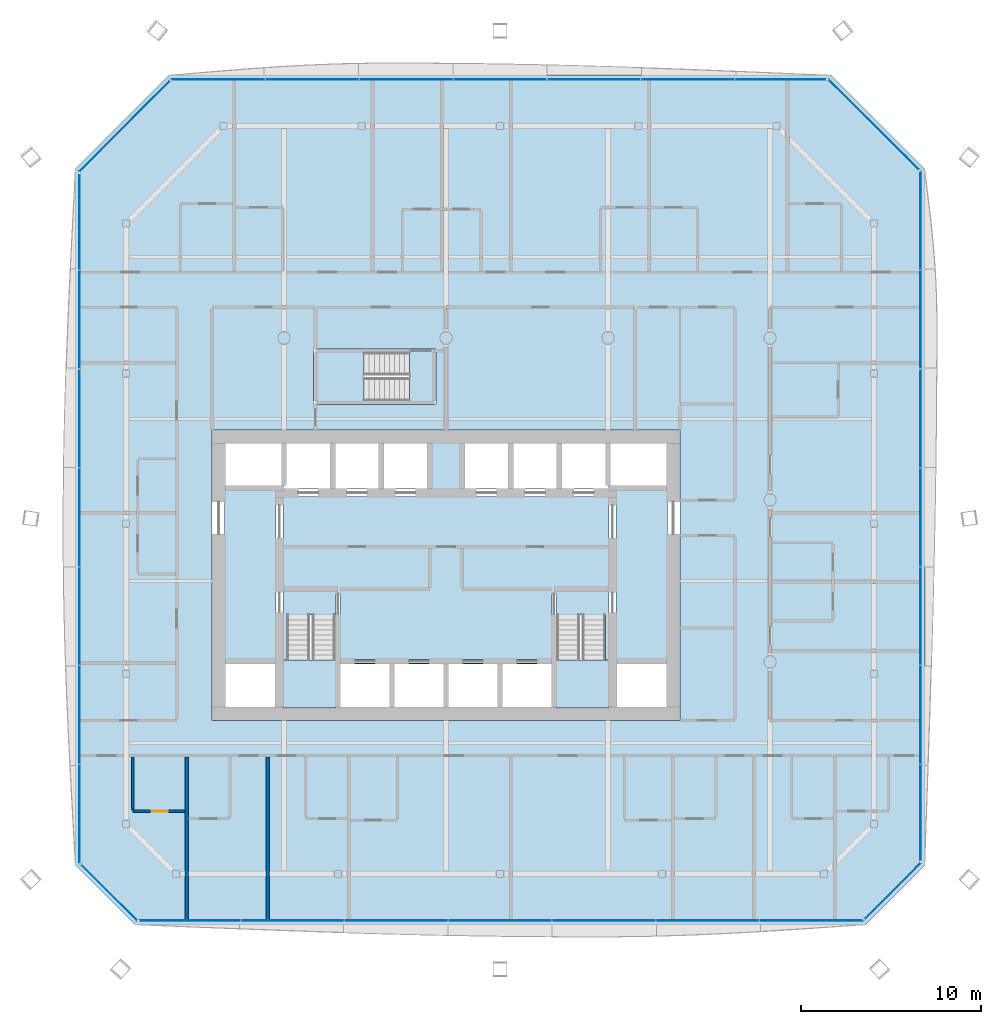
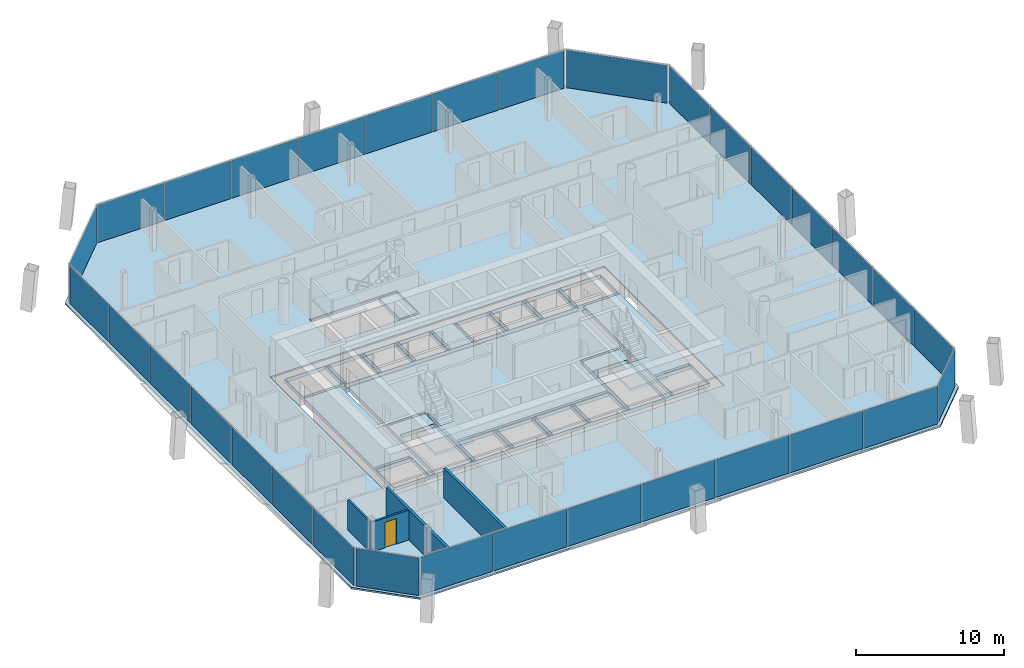
# One storey, part 11 of 21: 32 plates, 6 slabs, 4 walls, 1 door, 1 opening, 11 elements without a shape of their own.
"""IFC4 building model written with IfcOpenShell, lengths in metres."""

import ifcopenshell
import ifcopenshell.guid

model = None  # the IFC model being written
_history = None  # IfcOwnerHistory: only IFC2X3 demands one
_inside = {}  # id of a spatial element -> (the spatial element, [elements in it])
_under = {}  # id of a project, library or spatial element -> (it, [spatial elements below it])
_declared = {}  # id of a project -> (the project, [libraries it declares])
_typed = {}  # id of a type object -> (the type object, [elements of that type])
_made_of = {}  # id of a material, layer set ... -> (it, [elements and type objects made of it])


def new_model(schema):
    """Start an empty IFC model of exactly this schema.

    Asked for "IFC4X3", IfcOpenShell would pick the latest addendum, in which some entities
    have other attributes; the version numbers below select the first issue.
    IFC2X3 requires an IfcOwnerHistory on every rooted entity: one is made here for all.
    """
    global model, _history
    if schema == "IFC4X3":
        model = ifcopenshell.file(schema_version=(4, 3, 0, 0))
    else:
        model = ifcopenshell.file(schema=schema)
    _inside.clear()
    _under.clear()
    _declared.clear()
    _typed.clear()
    _made_of.clear()
    _history = None
    if model.schema == "IFC2X3":
        org = make("IfcOrganization", Name="unknown")
        user = make(
            "IfcPersonAndOrganization",
            ThePerson=make("IfcPerson", FamilyName="unknown"),
            TheOrganization=org,
        )
        app = make(
            "IfcApplication",
            ApplicationDeveloper=org,
            Version="unknown",
            ApplicationFullName="unknown",
            ApplicationIdentifier="unknown",
        )
        _history = make(
            "IfcOwnerHistory",
            OwningUser=user,
            OwningApplication=app,
            ChangeAction="ADDED",
            CreationDate=0,
        )
    return model


def make(cls, **values):
    """One entity of the class cls with the attributes given. An attribute that is None is left unset."""
    return model.create_entity(
        cls, **{name: value for name, value in values.items() if value is not None}
    )


def rooted(cls, **values):
    """An entity with a GlobalId (a new one), such as an element, a storey or a relation."""
    return make(cls, GlobalId=ifcopenshell.guid.new(), OwnerHistory=_history, **values)


def si_unit(unit_type, name, prefix=None):
    """IfcSIUnit, for example si_unit("LENGTHUNIT", "METRE", prefix="MILLI")."""
    return make("IfcSIUnit", UnitType=unit_type, Prefix=prefix, Name=name)


def assignment(units):
    """IfcUnitAssignment: the units of a project."""
    return None if units is None else make("IfcUnitAssignment", Units=units)


def point(xyz):
    """IfcCartesianPoint."""
    return None if xyz is None else make("IfcCartesianPoint", Coordinates=xyz)


def direction(xyz):
    """IfcDirection."""
    return None if xyz is None else make("IfcDirection", DirectionRatios=xyz)


def frame(location, z_axis=None, x_axis=None):
    """IfcAxis2Placement3D, a coordinate frame: its origin and axes. An axis left out is left unset."""
    return make(
        "IfcAxis2Placement3D",
        Location=point(location),
        Axis=direction(z_axis),
        RefDirection=direction(x_axis),
    )


def frame_2d(location, x_axis=None):
    """IfcAxis2Placement2D, a coordinate frame in the plane: its origin and x axis."""
    return make(
        "IfcAxis2Placement2D", Location=point(location), RefDirection=direction(x_axis)
    )


def origin():
    """The frame at (0, 0, 0) with its axes left unset."""
    return frame((0.0, 0.0, 0.0))


def origin_2d():
    """The frame at (0, 0) in the plane with its x axis left unset."""
    return frame_2d((0.0, 0.0))


def place(relative_to, where):
    """IfcLocalPlacement: puts the frame where relative to a parent placement (None: the world)."""
    return make(
        "IfcLocalPlacement", PlacementRelTo=relative_to, RelativePlacement=where
    )


def context(
    kind, dimensions, precision=None, world=None, true_north=None, identifier=None
):
    """IfcGeometricRepresentationContext, for example the 3D "Model" context."""
    return make(
        "IfcGeometricRepresentationContext",
        ContextIdentifier=identifier,
        ContextType=kind,
        CoordinateSpaceDimension=dimensions,
        Precision=precision,
        WorldCoordinateSystem=world,
        TrueNorth=true_north,
    )


def subcontext(parent, identifier, kind, view, scale=None):
    """IfcGeometricRepresentationSubContext, for example "Body" below "Model"."""
    return make(
        "IfcGeometricRepresentationSubContext",
        ContextIdentifier=identifier,
        ContextType=kind,
        ParentContext=parent,
        TargetScale=scale,
        TargetView=view,
    )


def project(units=None, contexts=None):
    """IfcProject with its units and contexts."""
    return rooted(
        "IfcProject",
        Name="project",
        RepresentationContexts=contexts,
        UnitsInContext=assignment(units),
    )


def spatial(cls, under=None, at=None, **own):
    """A site, building, storey or space (cls), placed at a placement, below another one or the project."""
    s = rooted(cls, ObjectPlacement=at, **own)
    if under is not None:
        _under.setdefault(under.id(), (under, []))[1].append(s)
    return s


def polyline(points):
    """IfcPolyline through the points."""
    return make("IfcPolyline", Points=[point(p) for p in points])


def profile(cls, at=None, kind="AREA", **sizes):
    """A parametric profile (cls). Its sizes go by their IFC names, for example OverallWidth=200.0."""
    return make(cls, ProfileType=kind, Position=at, **sizes)


def rectangle(**sizes):
    """IfcRectangleProfileDef."""
    return profile("IfcRectangleProfileDef", **sizes)


def outline(outer, holes=None, kind="AREA"):
    """IfcArbitraryClosedProfileDef: a profile drawn as a closed curve; with holes, ...WithVoids."""
    if holes is None:
        return make("IfcArbitraryClosedProfileDef", ProfileType=kind, OuterCurve=outer)
    return make(
        "IfcArbitraryProfileDefWithVoids",
        ProfileType=kind,
        OuterCurve=outer,
        InnerCurves=holes,
    )


def extrude(swept, where, along, depth):
    """IfcExtrudedAreaSolid: the profile swept, set in the frame where, extruded along a direction by depth."""
    return make(
        "IfcExtrudedAreaSolid",
        SweptArea=swept,
        Position=where,
        ExtrudedDirection=direction(along),
        Depth=depth,
    )


def shape(context_of_items, identifier, shape_type, items):
    """IfcShapeRepresentation: the items that make up one representation, for example the "Body"."""
    return make(
        "IfcShapeRepresentation",
        ContextOfItems=context_of_items,
        RepresentationIdentifier=identifier,
        RepresentationType=shape_type,
        Items=items,
    )


def material(Name=None, Category=None):
    """IfcMaterial."""
    return make("IfcMaterial", Name=Name, Category=Category)


def layer(
    of_material, thickness, ventilated=None, Name=None, Category=None, Priority=None
):
    """IfcMaterialLayer: one layer of a wall or slab, of a material (None: an air gap)."""
    return make(
        "IfcMaterialLayer",
        Material=of_material,
        LayerThickness=thickness,
        IsVentilated=ventilated,
        Name=Name,
        Category=Category,
        Priority=Priority,
    )


def layer_set(layers, Name=None):
    """IfcMaterialLayerSet."""
    return make("IfcMaterialLayerSet", MaterialLayers=layers, LayerSetName=Name)


def made_of(thing, what):
    """Note that an element or type object is made of a material, layer set ...; save() writes the relation."""
    if what is not None:
        _made_of.setdefault(what.id(), (what, []))[1].append(thing)
    return thing


def type_object(cls, material=None, **own):
    """A type object (cls), such as IfcWallType, which elements share."""
    return made_of(rooted(cls, **own), material)


def element(
    cls,
    number,
    at=None,
    inside=None,
    cuts=None,
    type_object=None,
    material=None,
    context=None,
    identifier="Body",
    shape_type=None,
    held_by="IfcProductDefinitionShape",
    body=None,
    shapes=None,
    **own,
):
    """One element of the class cls, such as IfcWall. Its Tag is "e" and its number.

    at: its placement. inside: the storey or other place that contains it. cuts: it is an
    opening in that element (IfcRelVoidsElement). A single representation is given by context,
    identifier, shape_type and body (its items); several are given by shapes. held_by: the class
    of the entity that holds the representations. save() writes the other relations.
    """
    e = rooted(cls, Tag="e%d" % number, ObjectPlacement=at, **own)
    if body is not None:
        shapes = [shape(context, identifier, shape_type, body)]
    if shapes is not None:
        e.Representation = make(held_by, Representations=shapes)
    if inside is not None:
        _inside.setdefault(inside.id(), (inside, []))[1].append(e)
    if cuts is not None:
        rooted(
            "IfcRelVoidsElement", RelatingBuildingElement=cuts, RelatedOpeningElement=e
        )
    if type_object is not None:
        _typed.setdefault(type_object.id(), (type_object, []))[1].append(e)
    return made_of(e, material)


def fill(opening, filler):
    """IfcRelFillsElement: the door or window that sits in an opening."""
    return rooted(
        "IfcRelFillsElement",
        RelatingOpeningElement=opening,
        RelatedBuildingElement=filler,
    )


def aggregate(whole, parts):
    """IfcRelAggregates: a whole, such as a stair, and the parts it consists of."""
    return rooted("IfcRelAggregates", RelatingObject=whole, RelatedObjects=parts)


def save(model, path):
    """Write the relations noted so far, then the file.

    IfcRelAggregates (storeys below a building ...), IfcRelContainedInSpatialStructure (elements
    in a storey), IfcRelDefinesByType, IfcRelAssociatesMaterial and IfcRelDeclares: one each for
    every whole, place, type object, material and project.
    """
    for whole, parts in _under.values():
        aggregate(whole, parts)
    for where, things in _inside.values():
        rooted(
            "IfcRelContainedInSpatialStructure",
            RelatedElements=things,
            RelatingStructure=where,
        )
    for kind, things in _typed.values():
        rooted("IfcRelDefinesByType", RelatedObjects=things, RelatingType=kind)
    for what, things in _made_of.values():
        rooted("IfcRelAssociatesMaterial", RelatedObjects=things, RelatingMaterial=what)
    for by, libraries in _declared.values():
        rooted("IfcRelDeclares", RelatingContext=by, RelatedDefinitions=libraries)
    model.write(path)


model = new_model("IFC4")

# Units and contexts
model_context = context("Model", 3, precision=1e-05, world=origin(), true_north=direction((0.0, 1.0)))
body_context = subcontext(model_context, "Body", "Model", "MODEL_VIEW")
ifc_project = project(units=[si_unit("LENGTHUNIT", "METRE"), si_unit("AREAUNIT", "SQUARE_METRE"), si_unit("VOLUMEUNIT", "CUBIC_METRE"), si_unit("PLANEANGLEUNIT", "RADIAN"), si_unit("MASSUNIT", "GRAM", prefix="KILO")], contexts=[model_context])

# Site, building, storey
site_placement = place(None, origin())
site = spatial("IfcSite", under=ifc_project, at=site_placement, CompositionType="ELEMENT")
building_placement = place(site_placement, origin())
building = spatial("IfcBuilding", under=site, at=building_placement, Name="Tskaro Facet Tower", CompositionType="ELEMENT")
storey_placement = place(building_placement, frame((0.0, 0.0, 128.300048828125)))
storey = spatial("IfcBuildingStorey", under=building, at=storey_placement, Name="L30", CompositionType="ELEMENT", Elevation=128.300048828125)

# Slab
ifc_material_1 = material(Name="Concrete C30/37", Category="concrete")
ifc_layer_1 = layer(ifc_material_1, 0.139892578125, Name="Concrete C30/37")
ifc_layer_set_1 = layer_set([ifc_layer_1], Name="Concrete C30/37")
slab_type_1 = type_object("IfcSlabType", Name="Composite deck floor slab", PredefinedType="FLOOR", material=ifc_layer_set_1)
slab_1_placement = place(storey_placement, frame((0.0, 0.0, -0.14013671875)))
element("IfcSlab", 1, at=slab_1_placement, inside=storey, type_object=slab_type_1, Name="Floor slab FS3 L30", PredefinedType="FLOOR", context=body_context, shape_type="SweptSolid", body=[
    extrude(outline(polyline([(-17.27001953125, -23.616943359375), (23.27001953125, -23.616943359375), (26.616943359375, -20.27001953125), (26.616943359375, 18.35693359375), (21.35693359375, 23.616943359375), (-15.35693359375, 23.616943359375), (-20.616943359375, 18.35693359375), (-20.616943359375, -20.27001953125), (-17.27001953125, -23.616943359375)]), holes=[polyline([(-13.0, -12.25), (13.0, -12.25), (13.0, 3.89990234375), (-13.0, 3.89990234375), (-13.0, -12.25)]), polyline([(-7.35009765625, 5.300048828125), (-0.550048828125, 5.300048828125), (-0.550048828125, 8.39990234375), (-7.35009765625, 8.39990234375), (-7.35009765625, 5.300048828125)])]), origin(), (0.0, 0.0, 1.0), 0.14013671875),
])

# Curtain wall, plates
ifc_material_2 = material(Name="Bronze anodised aluminium 6063-T6", Category="aluminium")
curtain_wall_type = type_object("IfcCurtainWallType", Name="Bronze hotel curtain wall (FW2)", PredefinedType="NOTDEFINED", material=ifc_material_2)
curtain_wall_1_placement = place(storey_placement, origin())
curtain_wall_1 = element("IfcCurtainWall", 2, at=curtain_wall_1_placement, inside=storey, type_object=curtain_wall_type, Name="FW2 south facet L30", PredefinedType="NOTDEFINED")
ifc_material_3 = material(Name="Bronze solar control glass", Category="glass")
ifc_layer_2 = layer(ifc_material_3, 0.030029296875, Name="Bronze solar control glass")
ifc_layer_set_2 = layer_set([ifc_layer_2], Name="Bronze solar control glass")
plate_type = type_object("IfcPlateType", Name="FW2 bronze-tinted unit glazing 30", PredefinedType="CURTAIN_PANEL", material=ifc_layer_set_2)
plate_1_placement = place(storey_placement, frame((-14.22509765625, -23.366943359375, 0.0), z_axis=(0.0, 0.0, 1.0), x_axis=(1.0, 0.0, 0.0)))
plate_1 = element("IfcPlate", 3, at=plate_1_placement, type_object=plate_type, Name="FW2 south glazing 1.1", PredefinedType="CURTAIN_PANEL", context=body_context, shape_type="SweptSolid", body=[
    extrude(rectangle(XDim=5.581787109375, YDim=0.030029296875, at=origin_2d()), origin(), (0.0, 0.0, 1.0), 3.10009765625),
])
plate_2_placement = place(storey_placement, frame((-8.5234375, -23.366943359375, 0.0), z_axis=(0.0, 0.0, 1.0), x_axis=(1.0, 0.0, 0.0)))
plate_2 = element("IfcPlate", 4, at=plate_2_placement, type_object=plate_type, Name="FW2 south glazing 2.1", PredefinedType="CURTAIN_PANEL", context=body_context, shape_type="SweptSolid", body=[
    extrude(rectangle(XDim=5.70166015625, YDim=0.030029296875, at=origin_2d()), origin(), (0.0, 0.0, 1.0), 3.10009765625),
])
plate_3_placement = place(storey_placement, frame((-2.76171875, -23.366943359375, 0.0), z_axis=(0.0, 0.0, 1.0), x_axis=(1.0, 0.0, 0.0)))
plate_3 = element("IfcPlate", 5, at=plate_3_placement, type_object=plate_type, Name="FW2 south glazing 3.1", PredefinedType="CURTAIN_PANEL", context=body_context, shape_type="SweptSolid", body=[
    extrude(rectangle(XDim=5.70166015625, YDim=0.030029296875, at=origin_2d()), origin(), (0.0, 0.0, 1.0), 3.10009765625),
])
plate_4_placement = place(storey_placement, frame((3.0, -23.366943359375, 0.0), z_axis=(0.0, 0.0, 1.0), x_axis=(1.0, 0.0, 0.0)))
plate_4 = element("IfcPlate", 6, at=plate_4_placement, type_object=plate_type, Name="FW2 south glazing 4.1", PredefinedType="CURTAIN_PANEL", context=body_context, shape_type="SweptSolid", body=[
    extrude(rectangle(XDim=5.70166015625, YDim=0.030029296875, at=origin_2d()), origin(), (0.0, 0.0, 1.0), 3.10009765625),
])
plate_5_placement = place(storey_placement, frame((8.76171875, -23.366943359375, 0.0), z_axis=(0.0, 0.0, 1.0), x_axis=(1.0, 0.0, 0.0)))
plate_5 = element("IfcPlate", 7, at=plate_5_placement, type_object=plate_type, Name="FW2 south glazing 5.1", PredefinedType="CURTAIN_PANEL", context=body_context, shape_type="SweptSolid", body=[
    extrude(rectangle(XDim=5.70166015625, YDim=0.030029296875, at=origin_2d()), origin(), (0.0, 0.0, 1.0), 3.10009765625),
])
plate_6_placement = place(storey_placement, frame((14.5234375, -23.366943359375, 0.0), z_axis=(0.0, 0.0, 1.0), x_axis=(1.0, 0.0, 0.0)))
plate_6 = element("IfcPlate", 8, at=plate_6_placement, type_object=plate_type, Name="FW2 south glazing 6.1", PredefinedType="CURTAIN_PANEL", context=body_context, shape_type="SweptSolid", body=[
    extrude(rectangle(XDim=5.70166015625, YDim=0.030029296875, at=origin_2d()), origin(), (0.0, 0.0, 1.0), 3.10009765625),
])
plate_7_placement = place(storey_placement, frame((20.300048828125, -23.366943359375, 0.0), z_axis=(0.0, 0.0, 1.0), x_axis=(1.0, 0.0, 0.0)))
plate_7 = element("IfcPlate", 9, at=plate_7_placement, type_object=plate_type, Name="FW2 south glazing 7.1", PredefinedType="CURTAIN_PANEL", context=body_context, shape_type="SweptSolid", body=[
    extrude(rectangle(XDim=5.731689453125, YDim=0.030029296875, at=origin_2d()), origin(), (0.0, 0.0, 1.0), 3.10009765625),
])
aggregate(curtain_wall_1, [plate_1, plate_2, plate_3, plate_4, plate_5, plate_6, plate_7])

# Curtain wall, plate
curtain_wall_2_placement = place(storey_placement, origin())
curtain_wall_2 = element("IfcCurtainWall", 10, at=curtain_wall_2_placement, inside=storey, type_object=curtain_wall_type, Name="FW2 south-east facet L30", PredefinedType="NOTDEFINED")
plate_8_placement = place(storey_placement, frame((24.819580078125, -21.71337890625, 0.0), z_axis=(0.0, 0.0, 1.0), x_axis=(0.707106781187, 0.707106781187, 0.0)))
plate_8 = element("IfcPlate", 11, at=plate_8_placement, type_object=plate_type, Name="FW2 south-east glazing 1.1", PredefinedType="CURTAIN_PANEL", context=body_context, shape_type="SweptSolid", body=[
    extrude(rectangle(XDim=4.376953125, YDim=0.030029296875, at=origin_2d()), origin(), (0.0, 0.0, 1.0), 3.10009765625),
])
aggregate(curtain_wall_2, [plate_8])

# Curtain wall, plates
curtain_wall_3_placement = place(storey_placement, origin())
curtain_wall_3 = element("IfcCurtainWall", 12, at=curtain_wall_3_placement, inside=storey, type_object=curtain_wall_type, Name="FW2 east facet L30", PredefinedType="NOTDEFINED")
plate_9_placement = place(storey_placement, frame((26.366943359375, -17.36181640625, 0.0), z_axis=(0.0, 0.0, 1.0), x_axis=(0.0, 1.0, 0.0)))
plate_9 = element("IfcPlate", 13, at=plate_9_placement, type_object=plate_type, Name="FW2 east glazing 1.1", PredefinedType="CURTAIN_PANEL", context=body_context, shape_type="SweptSolid", body=[
    extrude(rectangle(XDim=5.308349609375, YDim=0.030029296875, at=origin_2d()), origin(), (0.0, 0.0, 1.0), 3.10009765625),
])
plate_10_placement = place(storey_placement, frame((26.366943359375, -11.933349609375, 0.0), z_axis=(0.0, 0.0, 1.0), x_axis=(0.0, 1.0, 0.0)))
plate_10 = element("IfcPlate", 14, at=plate_10_placement, type_object=plate_type, Name="FW2 east glazing 2.1", PredefinedType="CURTAIN_PANEL", context=body_context, shape_type="SweptSolid", body=[
    extrude(rectangle(XDim=5.428466796875, YDim=0.030029296875, at=origin_2d()), origin(), (0.0, 0.0, 1.0), 3.10009765625),
])
plate_11_placement = place(storey_placement, frame((26.366943359375, -6.44482421875, 0.0), z_axis=(0.0, 0.0, 1.0), x_axis=(0.0, 1.0, 0.0)))
plate_11 = element("IfcPlate", 15, at=plate_11_placement, type_object=plate_type, Name="FW2 east glazing 3.1", PredefinedType="CURTAIN_PANEL", context=body_context, shape_type="SweptSolid", body=[
    extrude(rectangle(XDim=5.428466796875, YDim=0.030029296875, at=origin_2d()), origin(), (0.0, 0.0, 1.0), 3.10009765625),
])
plate_12_placement = place(storey_placement, frame((26.366943359375, -0.95654296875, 0.0), z_axis=(0.0, 0.0, 1.0), x_axis=(0.0, 1.0, 0.0)))
plate_12 = element("IfcPlate", 16, at=plate_12_placement, type_object=plate_type, Name="FW2 east glazing 4.1", PredefinedType="CURTAIN_PANEL", context=body_context, shape_type="SweptSolid", body=[
    extrude(rectangle(XDim=5.428466796875, YDim=0.030029296875, at=origin_2d()), origin(), (0.0, 0.0, 1.0), 3.10009765625),
])
plate_13_placement = place(storey_placement, frame((26.366943359375, 4.531982421875, 0.0), z_axis=(0.0, 0.0, 1.0), x_axis=(0.0, 1.0, 0.0)))
plate_13 = element("IfcPlate", 17, at=plate_13_placement, type_object=plate_type, Name="FW2 east glazing 5.1", PredefinedType="CURTAIN_PANEL", context=body_context, shape_type="SweptSolid", body=[
    extrude(rectangle(XDim=5.428466796875, YDim=0.030029296875, at=origin_2d()), origin(), (0.0, 0.0, 1.0), 3.10009765625),
])
plate_14_placement = place(storey_placement, frame((26.366943359375, 10.020263671875, 0.0), z_axis=(0.0, 0.0, 1.0), x_axis=(0.0, 1.0, 0.0)))
plate_14 = element("IfcPlate", 18, at=plate_14_placement, type_object=plate_type, Name="FW2 east glazing 6.1", PredefinedType="CURTAIN_PANEL", context=body_context, shape_type="SweptSolid", body=[
    extrude(rectangle(XDim=5.428466796875, YDim=0.030029296875, at=origin_2d()), origin(), (0.0, 0.0, 1.0), 3.10009765625),
])
plate_15_placement = place(storey_placement, frame((26.366943359375, 15.523681640625, 0.0), z_axis=(0.0, 0.0, 1.0), x_axis=(0.0, 1.0, 0.0)))
plate_15 = element("IfcPlate", 19, at=plate_15_placement, type_object=plate_type, Name="FW2 east glazing 7.1", PredefinedType="CURTAIN_PANEL", context=body_context, shape_type="SweptSolid", body=[
    extrude(rectangle(XDim=5.45849609375, YDim=0.030029296875, at=origin_2d()), origin(), (0.0, 0.0, 1.0), 3.10009765625),
])
aggregate(curtain_wall_3, [plate_9, plate_10, plate_11, plate_12, plate_13, plate_14, plate_15])

# Curtain wall, plate
curtain_wall_4_placement = place(storey_placement, origin())
curtain_wall_4 = element("IfcCurtainWall", 20, at=curtain_wall_4_placement, inside=storey, type_object=curtain_wall_type, Name="FW2 north-east facet L30", PredefinedType="NOTDEFINED")
plate_16_placement = place(storey_placement, frame((23.757080078125, 20.863037109375, 0.0), z_axis=(0.0, 0.0, 1.0), x_axis=(-0.707106781187, 0.707106781187, 0.0)))
plate_16 = element("IfcPlate", 21, at=plate_16_placement, type_object=plate_type, Name="FW2 north-east glazing 1.1", PredefinedType="CURTAIN_PANEL", context=body_context, shape_type="SweptSolid", body=[
    extrude(rectangle(XDim=7.082275390625, YDim=0.030029296875, at=origin_2d()), origin(), (0.0, 0.0, 1.0), 3.10009765625),
])
aggregate(curtain_wall_4, [plate_16])

# Curtain wall, plates
curtain_wall_5_placement = place(storey_placement, origin())
curtain_wall_5 = element("IfcCurtainWall", 22, at=curtain_wall_5_placement, inside=storey, type_object=curtain_wall_type, Name="FW2 north facet L30", PredefinedType="NOTDEFINED")
plate_17_placement = place(storey_placement, frame((18.58544921875, 23.366943359375, 0.0), z_axis=(0.0, 0.0, 1.0), x_axis=(-1.0, 0.0, 0.0)))
plate_17 = element("IfcPlate", 23, at=plate_17_placement, type_object=plate_type, Name="FW2 north glazing 1.1", PredefinedType="CURTAIN_PANEL", context=body_context, shape_type="SweptSolid", body=[
    extrude(rectangle(XDim=5.03515625, YDim=0.030029296875, at=origin_2d()), origin(), (0.0, 0.0, 1.0), 3.10009765625),
])
plate_18_placement = place(storey_placement, frame((13.43017578125, 23.366943359375, 0.0), z_axis=(0.0, 0.0, 1.0), x_axis=(-1.0, 0.0, 0.0)))
plate_18 = element("IfcPlate", 24, at=plate_18_placement, type_object=plate_type, Name="FW2 north glazing 2.1", PredefinedType="CURTAIN_PANEL", context=body_context, shape_type="SweptSolid", body=[
    extrude(rectangle(XDim=5.155029296875, YDim=0.030029296875, at=origin_2d()), origin(), (0.0, 0.0, 1.0), 3.10009765625),
])
plate_19_placement = place(storey_placement, frame((8.215087890625, 23.366943359375, 0.0), z_axis=(0.0, 0.0, 1.0), x_axis=(-1.0, 0.0, 0.0)))
plate_19 = element("IfcPlate", 25, at=plate_19_placement, type_object=plate_type, Name="FW2 north glazing 3.1", PredefinedType="CURTAIN_PANEL", context=body_context, shape_type="SweptSolid", body=[
    extrude(rectangle(XDim=5.155029296875, YDim=0.030029296875, at=origin_2d()), origin(), (0.0, 0.0, 1.0), 3.10009765625),
])
plate_20_placement = place(storey_placement, frame((3.0, 23.366943359375, 0.0), z_axis=(0.0, 0.0, 1.0), x_axis=(-1.0, 0.0, 0.0)))
plate_20 = element("IfcPlate", 26, at=plate_20_placement, type_object=plate_type, Name="FW2 north glazing 4.1", PredefinedType="CURTAIN_PANEL", context=body_context, shape_type="SweptSolid", body=[
    extrude(rectangle(XDim=5.155029296875, YDim=0.030029296875, at=origin_2d()), origin(), (0.0, 0.0, 1.0), 3.10009765625),
])
plate_21_placement = place(storey_placement, frame((-2.215087890625, 23.366943359375, 0.0), z_axis=(0.0, 0.0, 1.0), x_axis=(-1.0, 0.0, 0.0)))
plate_21 = element("IfcPlate", 27, at=plate_21_placement, type_object=plate_type, Name="FW2 north glazing 5.1", PredefinedType="CURTAIN_PANEL", context=body_context, shape_type="SweptSolid", body=[
    extrude(rectangle(XDim=5.155029296875, YDim=0.030029296875, at=origin_2d()), origin(), (0.0, 0.0, 1.0), 3.10009765625),
])
plate_22_placement = place(storey_placement, frame((-7.43017578125, 23.366943359375, 0.0), z_axis=(0.0, 0.0, 1.0), x_axis=(-1.0, 0.0, 0.0)))
plate_22 = element("IfcPlate", 28, at=plate_22_placement, type_object=plate_type, Name="FW2 north glazing 6.1", PredefinedType="CURTAIN_PANEL", context=body_context, shape_type="SweptSolid", body=[
    extrude(rectangle(XDim=5.155029296875, YDim=0.030029296875, at=origin_2d()), origin(), (0.0, 0.0, 1.0), 3.10009765625),
])
plate_23_placement = place(storey_placement, frame((-12.660400390625, 23.366943359375, 0.0), z_axis=(0.0, 0.0, 1.0), x_axis=(-1.0, 0.0, 0.0)))
plate_23 = element("IfcPlate", 29, at=plate_23_placement, type_object=plate_type, Name="FW2 north glazing 7.1", PredefinedType="CURTAIN_PANEL", context=body_context, shape_type="SweptSolid", body=[
    extrude(rectangle(XDim=5.18505859375, YDim=0.030029296875, at=origin_2d()), origin(), (0.0, 0.0, 1.0), 3.10009765625),
])
aggregate(curtain_wall_5, [plate_17, plate_18, plate_19, plate_20, plate_21, plate_22, plate_23])

# Curtain wall, plate
curtain_wall_6_placement = place(storey_placement, origin())
curtain_wall_6 = element("IfcCurtainWall", 30, at=curtain_wall_6_placement, inside=storey, type_object=curtain_wall_type, Name="FW2 north-west facet L30", PredefinedType="NOTDEFINED")
plate_24_placement = place(storey_placement, frame((-17.863037109375, 20.757080078125, 0.0), z_axis=(0.0, 0.0, 1.0), x_axis=(-0.707106781187, -0.707106781187, 0.0)))
plate_24 = element("IfcPlate", 31, at=plate_24_placement, type_object=plate_type, Name="FW2 north-west glazing 1.1", PredefinedType="CURTAIN_PANEL", context=body_context, shape_type="SweptSolid", body=[
    extrude(rectangle(XDim=7.082275390625, YDim=0.030029296875, at=origin_2d()), origin(), (0.0, 0.0, 1.0), 3.10009765625),
])
aggregate(curtain_wall_6, [plate_24])

# Curtain wall, plates
curtain_wall_7_placement = place(storey_placement, origin())
curtain_wall_7 = element("IfcCurtainWall", 32, at=curtain_wall_7_placement, inside=storey, type_object=curtain_wall_type, Name="FW2 west facet L30", PredefinedType="NOTDEFINED")
plate_25_placement = place(storey_placement, frame((-20.366943359375, 15.44873046875, 0.0), z_axis=(0.0, 0.0, 1.0), x_axis=(0.0, -1.0, 0.0)))
plate_25 = element("IfcPlate", 33, at=plate_25_placement, type_object=plate_type, Name="FW2 west glazing 1.1", PredefinedType="CURTAIN_PANEL", context=body_context, shape_type="SweptSolid", body=[
    extrude(rectangle(XDim=5.308349609375, YDim=0.030029296875, at=origin_2d()), origin(), (0.0, 0.0, 1.0), 3.10009765625),
])
plate_26_placement = place(storey_placement, frame((-20.366943359375, 10.020263671875, 0.0), z_axis=(0.0, 0.0, 1.0), x_axis=(0.0, -1.0, 0.0)))
plate_26 = element("IfcPlate", 34, at=plate_26_placement, type_object=plate_type, Name="FW2 west glazing 2.1", PredefinedType="CURTAIN_PANEL", context=body_context, shape_type="SweptSolid", body=[
    extrude(rectangle(XDim=5.428466796875, YDim=0.030029296875, at=origin_2d()), origin(), (0.0, 0.0, 1.0), 3.10009765625),
])
plate_27_placement = place(storey_placement, frame((-20.366943359375, 4.531982421875, 0.0), z_axis=(0.0, 0.0, 1.0), x_axis=(0.0, -1.0, 0.0)))
plate_27 = element("IfcPlate", 35, at=plate_27_placement, type_object=plate_type, Name="FW2 west glazing 3.1", PredefinedType="CURTAIN_PANEL", context=body_context, shape_type="SweptSolid", body=[
    extrude(rectangle(XDim=5.428466796875, YDim=0.030029296875, at=origin_2d()), origin(), (0.0, 0.0, 1.0), 3.10009765625),
])
plate_28_placement = place(storey_placement, frame((-20.366943359375, -0.95654296875, 0.0), z_axis=(0.0, 0.0, 1.0), x_axis=(0.0, -1.0, 0.0)))
plate_28 = element("IfcPlate", 36, at=plate_28_placement, type_object=plate_type, Name="FW2 west glazing 4.1", PredefinedType="CURTAIN_PANEL", context=body_context, shape_type="SweptSolid", body=[
    extrude(rectangle(XDim=5.428466796875, YDim=0.030029296875, at=origin_2d()), origin(), (0.0, 0.0, 1.0), 3.10009765625),
])
plate_29_placement = place(storey_placement, frame((-20.366943359375, -6.44482421875, 0.0), z_axis=(0.0, 0.0, 1.0), x_axis=(0.0, -1.0, 0.0)))
plate_29 = element("IfcPlate", 37, at=plate_29_placement, type_object=plate_type, Name="FW2 west glazing 5.1", PredefinedType="CURTAIN_PANEL", context=body_context, shape_type="SweptSolid", body=[
    extrude(rectangle(XDim=5.428466796875, YDim=0.030029296875, at=origin_2d()), origin(), (0.0, 0.0, 1.0), 3.10009765625),
])
plate_30_placement = place(storey_placement, frame((-20.366943359375, -11.933349609375, 0.0), z_axis=(0.0, 0.0, 1.0), x_axis=(0.0, -1.0, 0.0)))
plate_30 = element("IfcPlate", 38, at=plate_30_placement, type_object=plate_type, Name="FW2 west glazing 6.1", PredefinedType="CURTAIN_PANEL", context=body_context, shape_type="SweptSolid", body=[
    extrude(rectangle(XDim=5.428466796875, YDim=0.030029296875, at=origin_2d()), origin(), (0.0, 0.0, 1.0), 3.10009765625),
])
plate_31_placement = place(storey_placement, frame((-20.366943359375, -17.436767578125, 0.0), z_axis=(0.0, 0.0, 1.0), x_axis=(0.0, -1.0, 0.0)))
plate_31 = element("IfcPlate", 39, at=plate_31_placement, type_object=plate_type, Name="FW2 west glazing 7.1", PredefinedType="CURTAIN_PANEL", context=body_context, shape_type="SweptSolid", body=[
    extrude(rectangle(XDim=5.45849609375, YDim=0.030029296875, at=origin_2d()), origin(), (0.0, 0.0, 1.0), 3.10009765625),
])
aggregate(curtain_wall_7, [plate_25, plate_26, plate_27, plate_28, plate_29, plate_30, plate_31])

# Curtain wall, plate
curtain_wall_8_placement = place(storey_placement, origin())
curtain_wall_8 = element("IfcCurtainWall", 40, at=curtain_wall_8_placement, inside=storey, type_object=curtain_wall_type, Name="FW2 south-west facet L30", PredefinedType="NOTDEFINED")
plate_32_placement = place(storey_placement, frame((-18.71337890625, -21.819580078125, 0.0), z_axis=(0.0, 0.0, 1.0), x_axis=(0.707106781187, -0.707106781187, 0.0)))
plate_32 = element("IfcPlate", 41, at=plate_32_placement, type_object=plate_type, Name="FW2 south-west glazing 1.1", PredefinedType="CURTAIN_PANEL", context=body_context, shape_type="SweptSolid", body=[
    extrude(rectangle(XDim=4.376953125, YDim=0.030029296875, at=origin_2d()), origin(), (0.0, 0.0, 1.0), 3.10009765625),
])
aggregate(curtain_wall_8, [plate_32])

# Stair, slab
ifc_material_4 = material(Name="Concrete C40/50", Category="concrete")
stair_type = type_object("IfcStairType", Name="ST-TWR", PredefinedType="HALF_TURN_STAIR", material=ifc_material_4)
stair_1_placement = place(storey_placement, origin())
stair_1 = element("IfcStair", 42, at=stair_1_placement, inside=storey, type_object=stair_type, Name="L30 Exit stair 1", PredefinedType="HALF_TURN_STAIR")
ifc_layer_3 = layer(ifc_material_4, 0.199951171875, Name="Concrete C40/50")
ifc_layer_set_3 = layer_set([ifc_layer_3], Name="Concrete C40/50")
slab_type_2 = type_object("IfcSlabType", Name="SL-LANDING", PredefinedType="LANDING", material=ifc_layer_set_3)
slab_2_placement = place(storey_placement, frame((0.0, 0.0, 1.5)))
slab_2 = element("IfcSlab", 43, at=slab_2_placement, type_object=slab_type_2, Name="ST-1 landing 1", PredefinedType="LANDING", context=body_context, shape_type="SweptSolid", body=[
    extrude(outline(polyline([(-9.050048828125, -11.550048828125), (-6.10009765625, -11.550048828125), (-6.10009765625, -8.89501953125), (-9.050048828125, -8.89501953125), (-9.050048828125, -11.550048828125)])), origin(), (0.0, 0.0, 1.0), 0.199951171875),
])
aggregate(stair_1, [slab_2])

stair_2_placement = place(storey_placement, origin())
stair_2 = element("IfcStair", 44, at=stair_2_placement, inside=storey, type_object=stair_type, Name="L30 Exit stair 2", PredefinedType="HALF_TURN_STAIR")
slab_3_placement = place(storey_placement, frame((0.0, 0.0, 1.5)))
slab_3 = element("IfcSlab", 45, at=slab_3_placement, type_object=slab_type_2, Name="ST-2 landing 1", PredefinedType="LANDING", context=body_context, shape_type="SweptSolid", body=[
    extrude(outline(polyline([(6.10009765625, -11.550048828125), (9.050048828125, -11.550048828125), (9.050048828125, -8.89501953125), (6.10009765625, -8.89501953125), (6.10009765625, -11.550048828125)])), origin(), (0.0, 0.0, 1.0), 0.199951171875),
])
aggregate(stair_2, [slab_3])

stair_3_placement = place(storey_placement, origin())
stair_3 = element("IfcStair", 46, at=stair_3_placement, inside=storey, type_object=stair_type, Name="L30 Exit stair 3", PredefinedType="HALF_TURN_STAIR")
slab_4_placement = place(storey_placement, frame((0.0, 0.0, 1.5)))
slab_4 = element("IfcSlab", 47, at=slab_4_placement, type_object=slab_type_2, Name="ST-3 landing 1", PredefinedType="LANDING", context=body_context, shape_type="SweptSolid", body=[
    extrude(outline(polyline([(-7.199951171875, 5.449951171875), (-4.544921875, 5.449951171875), (-4.544921875, 8.25), (-7.199951171875, 8.25), (-7.199951171875, 5.449951171875)])), origin(), (0.0, 0.0, 1.0), 0.199951171875),
])
aggregate(stair_3, [slab_4])

# Slabs
ifc_material_5 = material(Name="Concrete C60/75", Category="concrete")
ifc_layer_4 = layer(ifc_material_5, 0.300048828125, Name="Concrete C60/75")
ifc_layer_set_4 = layer_set([ifc_layer_4], Name="Concrete C60/75")
slab_type_3 = type_object("IfcSlabType", Name="SLAB-CORE", PredefinedType="FLOOR", material=ifc_layer_set_4)
slab_5_placement = place(storey_placement, frame((0.0, 0.0, -0.300048828125)))
element("IfcSlab", 48, at=slab_5_placement, inside=storey, type_object=slab_type_3, Name="Core floor slab 1", PredefinedType="FLOOR", context=body_context, shape_type="SweptSolid", body=[
    extrude(outline(polyline([(-12.300048828125, 3.199951171875), (12.300048828125, 3.199951171875), (12.300048828125, 3.10009765625), (12.300048828125, -11.449951171875), (12.300048828125, -11.550048828125), (-12.300048828125, -11.550048828125), (-12.300048828125, -11.449951171875), (-12.300048828125, 3.10009765625), (-12.300048828125, 3.199951171875)]), holes=[polyline([(-9.5, -9.10009765625), (-12.25, -9.10009765625), (-12.25, -11.5), (-9.5, -11.5), (-9.5, -9.10009765625)]), polyline([(-5.85009765625, -9.10009765625), (-5.85009765625, -11.5), (-3.14990234375, -11.5), (-3.14990234375, -9.10009765625), (-5.85009765625, -9.10009765625)]), polyline([(-12.199951171875, -9.050048828125), (-9.550048828125, -9.050048828125), (-9.550048828125, -8.85009765625), (-12.199951171875, -8.85009765625), (-12.199951171875, -9.050048828125)]), polyline([(-6.10009765625, -5.14990234375), (-6.10009765625, -11.449951171875), (-5.89990234375, -11.449951171875), (-5.89990234375, -5.14990234375), (-6.10009765625, -5.14990234375)]), polyline([(-9.449951171875, 0.10009765625), (-9.449951171875, -11.449951171875), (-9.050048828125, -11.449951171875), (-9.050048828125, 0.10009765625), (-9.449951171875, 0.10009765625)]), polyline([(-8.949951171875, -5.050048828125), (-6.050048828125, -5.050048828125), (-6.050048828125, -4.85009765625), (-8.949951171875, -4.85009765625), (-8.949951171875, -5.050048828125)]), polyline([(9.449951171875, 0.199951171875), (9.449951171875, 0.550048828125), (12.199951171875, 0.550048828125), (12.199951171875, 0.75), (9.050048828125, 0.75), (9.050048828125, 0.60009765625), (-9.050048828125, 0.60009765625), (-9.050048828125, 0.75), (-12.199951171875, 0.75), (-12.199951171875, 0.550048828125), (-9.449951171875, 0.550048828125), (-9.449951171875, 0.199951171875), (9.449951171875, 0.199951171875)]), polyline([(-8.85009765625, 0.800048828125), (-9.0, 0.800048828125), (-9.0, 0.64990234375), (-6.449951171875, 0.64990234375), (-6.449951171875, 3.14990234375), (-8.85009765625, 3.14990234375), (-8.85009765625, 0.800048828125)]), polyline([(-6.14990234375, 0.64990234375), (-3.75, 0.64990234375), (-3.75, 3.14990234375), (-6.14990234375, 3.14990234375), (-6.14990234375, 0.64990234375)]), polyline([(-6.39990234375, 3.10009765625), (-6.39990234375, 0.699951171875), (-6.199951171875, 0.699951171875), (-6.199951171875, 3.10009765625), (-6.39990234375, 3.10009765625)]), polyline([(-9.14990234375, 3.14990234375), (-12.25, 3.14990234375), (-12.25, 0.800048828125), (-9.14990234375, 0.800048828125), (-9.14990234375, 3.14990234375)]), polyline([(-9.10009765625, 0.85009765625), (-8.89990234375, 0.85009765625), (-8.89990234375, 3.10009765625), (-9.10009765625, 3.10009765625), (-9.10009765625, 0.85009765625)]), polyline([(-3.10009765625, -11.449951171875), (-2.89990234375, -11.449951171875), (-2.89990234375, -9.14990234375), (-3.10009765625, -9.14990234375), (-3.10009765625, -11.449951171875)]), polyline([(-0.14990234375, -9.10009765625), (-2.85009765625, -9.10009765625), (-2.85009765625, -11.5), (-0.14990234375, -11.5), (-0.14990234375, -9.10009765625)]), polyline([(-0.10009765625, -9.14990234375), (-0.10009765625, -11.449951171875), (0.10009765625, -11.449951171875), (0.10009765625, -9.14990234375), (-0.10009765625, -9.14990234375)]), polyline([(0.14990234375, -9.10009765625), (0.14990234375, -11.5), (2.85009765625, -11.5), (2.85009765625, -9.10009765625), (0.14990234375, -9.10009765625)]), polyline([(-5.800048828125, -8.85009765625), (-5.800048828125, -9.050048828125), (5.800048828125, -9.050048828125), (5.800048828125, -8.85009765625), (-5.800048828125, -8.85009765625)]), polyline([(-1.050048828125, 0.64990234375), (-1.050048828125, 3.14990234375), (-3.449951171875, 3.14990234375), (-3.449951171875, 0.64990234375), (-1.050048828125, 0.64990234375)]), polyline([(3.449951171875, 0.64990234375), (3.449951171875, 3.14990234375), (1.050048828125, 3.14990234375), (1.050048828125, 0.64990234375), (3.449951171875, 0.64990234375)]), polyline([(-3.699951171875, 0.699951171875), (-3.5, 0.699951171875), (-3.5, 3.10009765625), (-3.699951171875, 3.10009765625), (-3.699951171875, 0.699951171875)]), polyline([(-1.0, 3.10009765625), (-1.0, 0.699951171875), (-0.800048828125, 0.699951171875), (-0.800048828125, 3.10009765625), (-1.0, 3.10009765625)]), polyline([(0.800048828125, 3.10009765625), (0.800048828125, 0.699951171875), (1.0, 0.699951171875), (1.0, 3.10009765625), (0.800048828125, 3.10009765625)]), polyline([(2.89990234375, -11.449951171875), (3.10009765625, -11.449951171875), (3.10009765625, -9.14990234375), (2.89990234375, -9.14990234375), (2.89990234375, -11.449951171875)]), polyline([(5.85009765625, -9.10009765625), (3.14990234375, -9.10009765625), (3.14990234375, -11.5), (5.85009765625, -11.5), (5.85009765625, -9.10009765625)]), polyline([(12.25, -11.5), (12.25, -9.10009765625), (9.5, -9.10009765625), (9.5, -11.5), (12.25, -11.5)]), polyline([(9.550048828125, -9.050048828125), (12.199951171875, -9.050048828125), (12.199951171875, -8.85009765625), (9.550048828125, -8.85009765625), (9.550048828125, -9.050048828125)]), polyline([(5.89990234375, -5.14990234375), (5.89990234375, -11.449951171875), (6.10009765625, -11.449951171875), (6.10009765625, -5.14990234375), (5.89990234375, -5.14990234375)]), polyline([(9.050048828125, 0.10009765625), (9.050048828125, -11.449951171875), (9.449951171875, -11.449951171875), (9.449951171875, 0.10009765625), (9.050048828125, 0.10009765625)]), polyline([(6.050048828125, -5.050048828125), (8.949951171875, -5.050048828125), (8.949951171875, -4.85009765625), (6.050048828125, -4.85009765625), (6.050048828125, -5.050048828125)]), polyline([(6.14990234375, 0.64990234375), (6.14990234375, 3.14990234375), (3.75, 3.14990234375), (3.75, 0.64990234375), (6.14990234375, 0.64990234375)]), polyline([(9.0, 0.800048828125), (8.85009765625, 0.800048828125), (8.85009765625, 3.14990234375), (6.449951171875, 3.14990234375), (6.449951171875, 0.64990234375), (9.0, 0.64990234375), (9.0, 0.800048828125)]), polyline([(3.5, 3.10009765625), (3.5, 0.699951171875), (3.699951171875, 0.699951171875), (3.699951171875, 3.10009765625), (3.5, 3.10009765625)]), polyline([(6.199951171875, 0.699951171875), (6.39990234375, 0.699951171875), (6.39990234375, 3.10009765625), (6.199951171875, 3.10009765625), (6.199951171875, 0.699951171875)]), polyline([(8.89990234375, 3.10009765625), (8.89990234375, 0.85009765625), (9.10009765625, 0.85009765625), (9.10009765625, 3.10009765625), (8.89990234375, 3.10009765625)]), polyline([(9.14990234375, 0.800048828125), (12.25, 0.800048828125), (12.25, 3.14990234375), (9.14990234375, 3.14990234375), (9.14990234375, 0.800048828125)]), polyline([(-8.85009765625, -11.5), (-6.14990234375, -11.5), (-6.14990234375, -6.39501953125), (-8.85009765625, -6.39501953125), (-8.85009765625, -11.5)]), polyline([(6.14990234375, -6.39501953125), (6.14990234375, -11.5), (8.85009765625, -11.5), (8.85009765625, -6.39501953125), (6.14990234375, -6.39501953125)])]), origin(), (0.0, 0.0, 1.0), 0.300048828125),
])
slab_6_placement = place(storey_placement, frame((0.0, 0.0, -0.300048828125)))
element("IfcSlab", 49, at=slab_6_placement, inside=storey, type_object=slab_type_3, Name="Stair 3 floor landing 1", PredefinedType="FLOOR", context=body_context, shape_type="SweptSolid", body=[
    extrude(outline(polyline([(-2.02490234375, 5.449951171875), (-0.699951171875, 5.449951171875), (-0.699951171875, 8.25), (-2.02490234375, 8.25), (-2.02490234375, 5.449951171875)])), origin(), (0.0, 0.0, 1.0), 0.300048828125),
])

# Wall, opening, door
ifc_material_6 = material(Name="Gypsum board on steel studs", Category="steel")
ifc_layer_5 = layer(ifc_material_6, 0.14990234375, Name="Gypsum board on steel studs")
ifc_layer_set_5 = layer_set([ifc_layer_5], Name="Gypsum board on steel studs")
wall_type_1 = type_object("IfcWallType", Name="PART-CORR", PredefinedType="PARTITIONING", material=ifc_layer_set_5)
wall_1_placement = place(storey_placement, frame((-17.39892578125, -17.300048828125, 0.0), z_axis=(0.0, 0.0, 1.0), x_axis=(1.0, 0.0, 0.0)))
wall_1 = element("IfcWall", 50, at=wall_1_placement, inside=storey, type_object=wall_type_1, Name="Corridor wall W007", PredefinedType="PARTITIONING", context=body_context, shape_type="SweptSolid", body=[
    extrude(rectangle(XDim=2.89990234375, YDim=0.14990234375, at=frame_2d((1.449951171875, 0.0))), origin(), (0.0, 0.0, 1.0), 2.4599609375),
])
opening_placement = place(wall_1_placement, frame((1.050048828125, 0.0, 0.0)))
opening = element("IfcOpeningElement", 51, at=opening_placement, cuts=wall_1, Name="Opening T8-D07", PredefinedType="OPENING", context=body_context, shape_type="SweptSolid", body=[
    extrude(rectangle(XDim=0.89990234375, YDim=2.10009765625, at=frame_2d((0.449951171875, 1.050048828125))), frame((0.0, 0.0849609375, 0.0), z_axis=(0.0, -1.0, 0.0), x_axis=(1.0, 0.0, 0.0)), (0.0, 0.0, 1.0), 0.169921875),
])
ifc_material_7 = material(Name="Timber", Category="wood")
door_type = type_object("IfcDoorType", Name="D-ROOM", OperationType="NOTDEFINED", PredefinedType="DOOR", material=ifc_material_7)
door_placement = place(opening_placement, origin())
door = element("IfcDoor", 52, at=door_placement, inside=storey, type_object=door_type, Name="Door T8-D07", OperationType="SINGLE_SWING_LEFT", OverallHeight=2.10009765625, OverallWidth=0.89990234375, PredefinedType="DOOR", context=body_context, shape_type="SweptSolid", body=[
    extrude(rectangle(XDim=0.89990234375, YDim=2.10009765625, at=frame_2d((0.449951171875, 1.050048828125))), frame((0.0, 0.02490234375, 0.0), z_axis=(0.0, -1.0, 0.0), x_axis=(1.0, 0.0, 0.0)), (0.0, 0.0, 1.0), 0.050048828125),
])
fill(opening, door)

# Walls
wall_2_placement = place(storey_placement, frame((-17.39892578125, -17.22509765625, 0.0), z_axis=(0.0, 0.0, 1.0), x_axis=(0.0, 1.0, 0.0)))
element("IfcWall", 53, at=wall_2_placement, inside=storey, type_object=wall_type_1, Name="Corridor wall W055", PredefinedType="PARTITIONING", context=body_context, shape_type="SweptSolid", body=[
    extrude(rectangle(XDim=2.9501953125, YDim=0.14990234375, at=frame_2d((1.47509765625, 0.0))), origin(), (0.0, 0.0, 1.0), 2.4599609375),
])
ifc_layer_6 = layer(ifc_material_6, 0.199951171875, Name="Gypsum board on steel studs")
ifc_layer_set_6 = layer_set([ifc_layer_6], Name="Gypsum board on steel studs")
wall_type_2 = type_object("IfcWallType", Name="PART-DEMISING", PredefinedType="PARTITIONING", material=ifc_layer_set_6)
for number, where, z_axis, x_axis, name in (
    (54, (-14.39892578125, -23.31689453125, 0.0), (0.0, 0.0, 1.0), (0.0, 1.0, 0.0), "Guest room wall W059"),
    (55, (-9.89892578125, -23.31689453125, 0.0), (0.0, 0.0, 1.0), (0.0, 1.0, 0.0), "Guest room wall W063"),
):
    element("IfcWall", number, at=place(storey_placement, frame(where, z_axis=z_axis, x_axis=x_axis)), inside=storey, type_object=wall_type_2, Name=name, PredefinedType="PARTITIONING", context=body_context, shape_type="SweptSolid", body=[
        extrude(rectangle(XDim=9.0419921875, YDim=0.199951171875, at=frame_2d((4.52099609375, 0.0))), origin(), (0.0, 0.0, 1.0), 2.4599609375),
    ])

save(model, "model.ifc")
